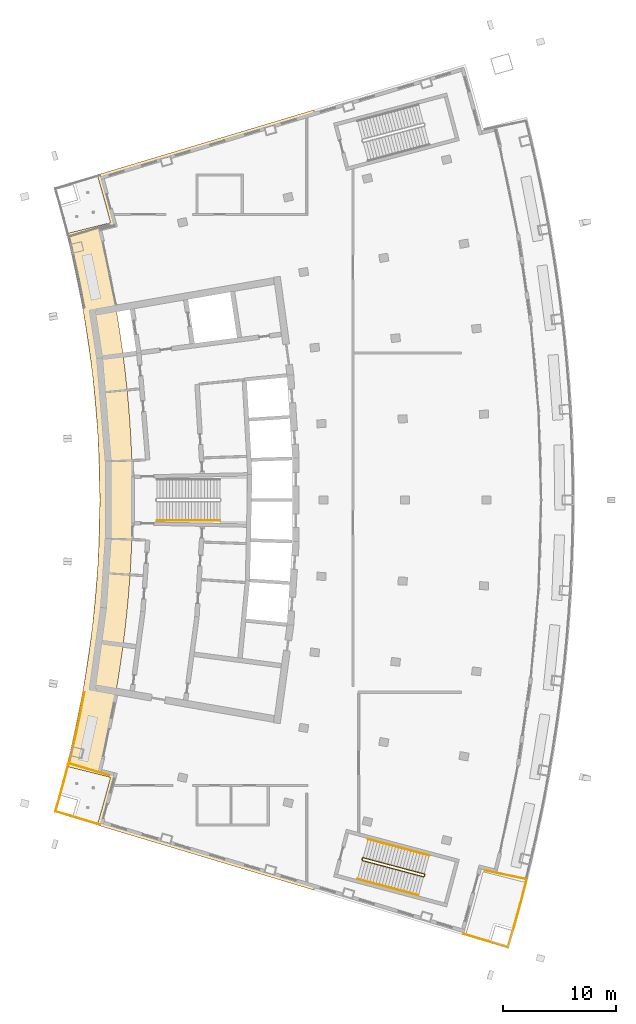
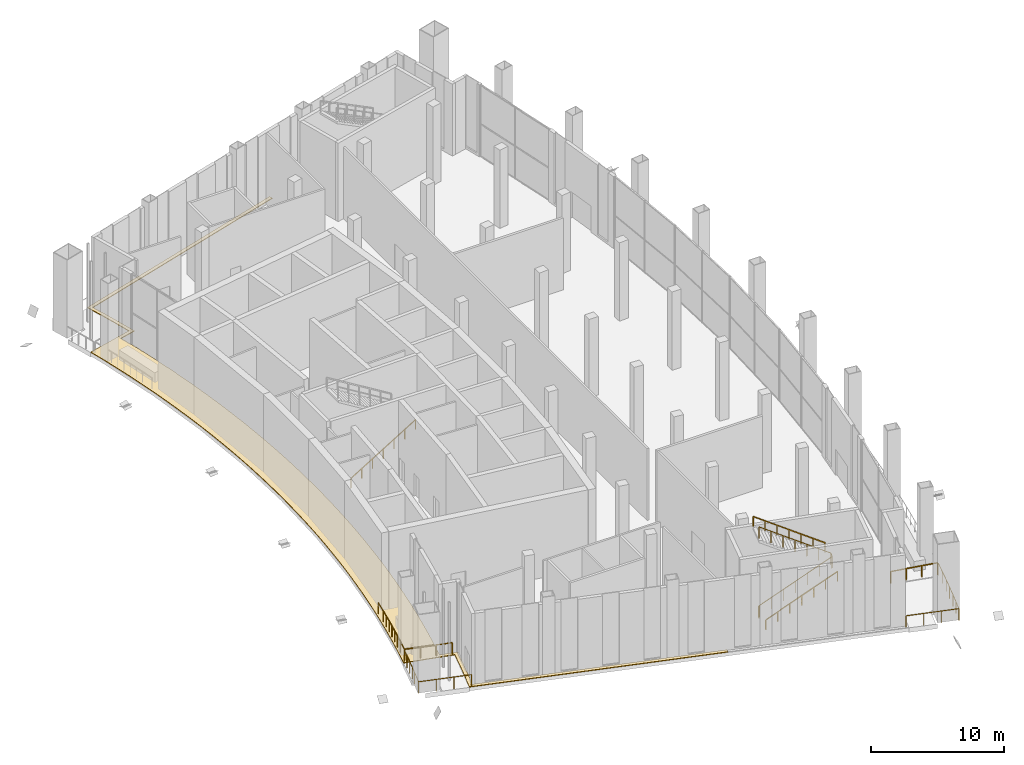
# One storey, part 20 of 24: 9 railings, 1 covering.
"""IFC4 building model written with IfcOpenShell, lengths in metres."""

from ifc_helpers import new_model, si_unit, direction, frame, origin, origin_with_axes, origin_2d, place, context, subcontext, project, spatial, polyline, rectangle, outline, extrude, material, layer, layer_set, type_object, element, save


model = new_model("IFC4")

# Units and contexts
model_context = context("Model", 3, precision=1e-05, world=origin(), true_north=direction((0.0, 1.0)))
body_context = subcontext(model_context, "Body", "Model", "MODEL_VIEW")
ifc_project = project(units=[si_unit("LENGTHUNIT", "METRE"), si_unit("AREAUNIT", "SQUARE_METRE"), si_unit("VOLUMEUNIT", "CUBIC_METRE"), si_unit("PLANEANGLEUNIT", "RADIAN"), si_unit("MASSUNIT", "GRAM", prefix="KILO")], contexts=[model_context])

# Site, building, storey
site_placement = place(None, origin())
site = spatial("IfcSite", under=ifc_project, at=site_placement, CompositionType="ELEMENT")
building_placement = place(site_placement, origin())
building = spatial("IfcBuilding", under=site, at=building_placement, Name="Alderwake Tower", CompositionType="ELEMENT")
storey_placement = place(building_placement, frame((0.0, 0.0, 232.39990234375)))
storey = spatial("IfcBuildingStorey", under=building, at=storey_placement, Name="L58", CompositionType="ELEMENT", Elevation=232.39990234375)

# Railings
ifc_material_1 = material(Name="Stainless steel 316 rail and posts", Category="steel")
railing_type_1 = type_object("IfcRailingType", Name="Balcony guard 1100", PredefinedType="GUARDRAIL", material=ifc_material_1)
railing_1_placement = place(storey_placement, frame((53.732666015625, 27.355224609375, 0.0)))
element("IfcRailing", 1, at=railing_1_placement, inside=storey, type_object=railing_type_1, Name="Guard terrace FS", PredefinedType="GUARDRAIL", context=body_context, shape_type="SweptSolid", body=[
    extrude(rectangle(XDim=0.048095703125, YDim=0.048095703125, at=origin_2d()), frame((0.0, 0.0, 1.076171875), z_axis=(-0.251774520981, -0.967785921878, 0.0), x_axis=(0.967785921878, -0.251774520981, 0.0)), (0.0, 0.0, 1.0), 2.2109375),
    extrude(rectangle(XDim=0.048095703125, YDim=0.048095703125, at=origin_2d()), frame((-0.556640625, -2.1396484375, 1.076171875), z_axis=(-0.266485273166, -0.963838990281, 0.0), x_axis=(0.963838990281, -0.266485273166, 0.0)), (0.0, 0.0, 1.0), 2.010986328125),
    extrude(rectangle(XDim=0.048095703125, YDim=0.048095703125, at=origin_2d()), frame((-1.092529296875, -4.077880859375, 1.076171875), z_axis=(-0.280284513531, -0.959916971136, 0.0), x_axis=(0.959916971136, -0.280284513531, 0.0)), (0.0, 0.0, 1.0), 1.9111328125),
    extrude(rectangle(XDim=0.048095703125, YDim=0.048095703125, at=origin_2d()), frame((-1.628173828125, -5.912353515625, 1.076171875), z_axis=(-0.957975303498, 0.286850689187, 0.0), x_axis=(-0.286850689187, -0.957975303498, 0.0)), (0.0, 0.0, 1.0), 4.099853515625),
    extrude(rectangle(XDim=0.0419921875, YDim=0.0419921875, at=origin_2d()), frame((0.0, 0.0, 0.0), z_axis=(0.0, 0.0, 1.0), x_axis=(-0.251774520981, -0.967785921878, 0.0)), (0.0, 0.0, 1.0), 1.052001953125),
    extrude(rectangle(XDim=0.0419921875, YDim=0.0419921875, at=origin_2d()), frame((-0.2783203125, -1.06982421875, 0.0), z_axis=(0.0, 0.0, 1.0), x_axis=(-0.251774520981, -0.967785921878, 0.0)), (0.0, 0.0, 1.0), 1.052001953125),
    extrude(rectangle(XDim=0.0419921875, YDim=0.0419921875, at=origin_2d()), frame((-0.556640625, -2.1396484375, 0.0), z_axis=(0.0, 0.0, 1.0), x_axis=(-0.266485273166, -0.963838990281, 0.0)), (0.0, 0.0, 1.0), 1.052001953125),
    extrude(rectangle(XDim=0.0419921875, YDim=0.0419921875, at=origin_2d()), frame((-0.82470703125, -3.10888671875, 0.0), z_axis=(0.0, 0.0, 1.0), x_axis=(-0.266485273166, -0.963838990281, 0.0)), (0.0, 0.0, 1.0), 1.052001953125),
    extrude(rectangle(XDim=0.0419921875, YDim=0.0419921875, at=origin_2d()), frame((-1.092529296875, -4.077880859375, 0.0), z_axis=(0.0, 0.0, 1.0), x_axis=(-0.280284513531, -0.959916971136, 0.0)), (0.0, 0.0, 1.0), 1.052001953125),
    extrude(rectangle(XDim=0.0419921875, YDim=0.0419921875, at=origin_2d()), frame((-1.3603515625, -4.9951171875, 0.0), z_axis=(0.0, 0.0, 1.0), x_axis=(-0.280284513531, -0.959916971136, 0.0)), (0.0, 0.0, 1.0), 1.052001953125),
    extrude(rectangle(XDim=0.0419921875, YDim=0.0419921875, at=origin_2d()), frame((-1.628173828125, -5.912353515625, 0.0), z_axis=(0.0, 0.0, 1.0), x_axis=(-0.957975303498, 0.286850689187, 0.0)), (0.0, 0.0, 1.0), 1.052001953125),
    extrude(rectangle(XDim=0.0419921875, YDim=0.0419921875, at=origin_2d()), frame((-2.937255859375, -5.520263671875, 0.0), z_axis=(0.0, 0.0, 1.0), x_axis=(-0.957975303498, 0.286850689187, 0.0)), (0.0, 0.0, 1.0), 1.052001953125),
    extrude(rectangle(XDim=0.0419921875, YDim=0.0419921875, at=origin_2d()), frame((-4.24658203125, -5.12841796875, 0.0), z_axis=(0.0, 0.0, 1.0), x_axis=(-0.957975303498, 0.286850689187, 0.0)), (0.0, 0.0, 1.0), 1.052001953125),
    extrude(rectangle(XDim=0.0419921875, YDim=0.0419921875, at=origin_2d()), frame((-5.5556640625, -4.736328125, 0.0), z_axis=(0.0, 0.0, 1.0), x_axis=(-0.957975303498, 0.286850689187, 0.0)), (0.0, 0.0, 1.0), 1.052001953125),
])
railing_2_placement = place(storey_placement, frame((13.210693359375, 37.612548828125, 0.0)))
element("IfcRailing", 2, at=railing_2_placement, inside=storey, type_object=railing_type_1, Name="Guard terrace RS", PredefinedType="GUARDRAIL", context=body_context, shape_type="SweptSolid", body=[
    extrude(rectangle(XDim=0.048095703125, YDim=0.048095703125, at=origin_2d()), frame((0.0, 0.0, 1.076171875), z_axis=(-0.251385381433, -0.967887075026, 0.0), x_axis=(0.967887075026, -0.251385381433, 0.0)), (0.0, 0.0, 1.0), 1.6015625),
    extrude(rectangle(XDim=0.048095703125, YDim=0.048095703125, at=origin_2d()), frame((-0.402587890625, -1.550048828125, 1.076171875), z_axis=(-0.266520638672, -0.963829211615, 0.0), x_axis=(0.963829211615, -0.266520638672, 0.0)), (0.0, 0.0, 1.0), 1.401611328125),
    extrude(rectangle(XDim=0.048095703125, YDim=0.048095703125, at=origin_2d()), frame((-0.776123046875, -2.90087890625, 1.076171875), z_axis=(-0.280093650878, -0.959972680204, 0.0), x_axis=(0.959972680204, -0.280093650878, 0.0)), (0.0, 0.0, 1.0), 1.30126953125),
    extrude(rectangle(XDim=0.048095703125, YDim=0.048095703125, at=origin_2d()), frame((-1.140625, -4.150146484375, 1.076171875), z_axis=(0.958066871889, -0.286544706789, 0.0), x_axis=(0.286544706789, 0.958066871889, 0.0)), (0.0, 0.0, 1.0), 4.099853515625),
    extrude(rectangle(XDim=0.0419921875, YDim=0.0419921875, at=origin_2d()), frame((0.0, 0.0, 0.0), z_axis=(0.0, 0.0, 1.0), x_axis=(-0.251385381433, -0.967887075026, 0.0)), (0.0, 0.0, 1.0), 1.052001953125),
    extrude(rectangle(XDim=0.0419921875, YDim=0.0419921875, at=origin_2d()), frame((-0.201171875, -0.77490234375, 0.0), z_axis=(0.0, 0.0, 1.0), x_axis=(-0.251385381433, -0.967887075026, 0.0)), (0.0, 0.0, 1.0), 1.052001953125),
    extrude(rectangle(XDim=0.0419921875, YDim=0.0419921875, at=origin_2d()), frame((-0.402587890625, -1.550048828125, 0.0), z_axis=(0.0, 0.0, 1.0), x_axis=(-0.266520638672, -0.963829211615, 0.0)), (0.0, 0.0, 1.0), 1.052001953125),
    extrude(rectangle(XDim=0.0419921875, YDim=0.0419921875, at=origin_2d()), frame((-0.58935546875, -2.2255859375, 0.0), z_axis=(0.0, 0.0, 1.0), x_axis=(-0.266520638672, -0.963829211615, 0.0)), (0.0, 0.0, 1.0), 1.052001953125),
    extrude(rectangle(XDim=0.0419921875, YDim=0.0419921875, at=origin_2d()), frame((-0.776123046875, -2.90087890625, 0.0), z_axis=(0.0, 0.0, 1.0), x_axis=(-0.280093650878, -0.959972680204, 0.0)), (0.0, 0.0, 1.0), 1.052001953125),
    extrude(rectangle(XDim=0.0419921875, YDim=0.0419921875, at=origin_2d()), frame((-1.140625, -4.150146484375, 0.0), z_axis=(0.0, 0.0, 1.0), x_axis=(0.958066871889, -0.286544706789, 0.0)), (0.0, 0.0, 1.0), 1.052001953125),
    extrude(rectangle(XDim=0.0419921875, YDim=0.0419921875, at=origin_2d()), frame((0.168701171875, -4.541748046875, 0.0), z_axis=(0.0, 0.0, 1.0), x_axis=(0.958066871889, -0.286544706789, 0.0)), (0.0, 0.0, 1.0), 1.052001953125),
    extrude(rectangle(XDim=0.0419921875, YDim=0.0419921875, at=origin_2d()), frame((1.47802734375, -4.933349609375, 0.0), z_axis=(0.0, 0.0, 1.0), x_axis=(0.958066871889, -0.286544706789, 0.0)), (0.0, 0.0, 1.0), 1.052001953125),
    extrude(rectangle(XDim=0.0419921875, YDim=0.0419921875, at=origin_2d()), frame((2.787353515625, -5.324951171875, 0.0), z_axis=(0.0, 0.0, 1.0), x_axis=(0.958066871889, -0.286544706789, 0.0)), (0.0, 0.0, 1.0), 1.052001953125),
])
railing_3_placement = place(storey_placement, frame((53.70849609375, 27.464599609375, 0.0)))
element("IfcRailing", 3, at=railing_3_placement, inside=storey, type_object=railing_type_1, Name="Guard garden terrace front end", PredefinedType="GUARDRAIL", context=body_context, shape_type="SweptSolid", body=[
    extrude(rectangle(XDim=0.048095703125, YDim=0.048095703125, at=origin_2d()), frame((0.0, 0.0, 1.076171875), z_axis=(-0.978568669942, 0.205920757107, 0.0), x_axis=(-0.205920757107, -0.978568669942, 0.0)), (0.0, 0.0, 1.0), 3.70263671875),
    extrude(rectangle(XDim=0.0419921875, YDim=0.0419921875, at=origin_2d()), frame((0.0, 0.0, 0.0), z_axis=(0.0, 0.0, 1.0), x_axis=(-0.978568669942, 0.205920757107, 0.0)), (0.0, 0.0, 1.0), 1.052001953125),
    extrude(rectangle(XDim=0.0419921875, YDim=0.0419921875, at=origin_2d()), frame((-1.207763671875, 0.254150390625, 0.0), z_axis=(0.0, 0.0, 1.0), x_axis=(-0.978568669942, 0.205920757107, 0.0)), (0.0, 0.0, 1.0), 1.052001953125),
    extrude(rectangle(XDim=0.0419921875, YDim=0.0419921875, at=origin_2d()), frame((-2.41552734375, 0.50830078125, 0.0), z_axis=(0.0, 0.0, 1.0), x_axis=(-0.978568669942, 0.205920757107, 0.0)), (0.0, 0.0, 1.0), 1.052001953125),
    extrude(rectangle(XDim=0.0419921875, YDim=0.0419921875, at=origin_2d()), frame((-3.623291015625, 0.762451171875, 0.0), z_axis=(0.0, 0.0, 1.0), x_axis=(-0.978568669942, 0.205920757107, 0.0)), (0.0, 0.0, 1.0), 1.052001953125),
])
railing_4_placement = place(storey_placement, frame((13.283447265625, 37.697265625, 0.0)))
element("IfcRailing", 4, at=railing_4_placement, inside=storey, type_object=railing_type_1, Name="Guard garden terrace rear", PredefinedType="GUARDRAIL", context=body_context, shape_type="SweptSolid", body=[
    extrude(rectangle(XDim=0.048095703125, YDim=0.048095703125, at=origin_2d()), frame((0.0, 0.0, 1.076171875), z_axis=(0.23679809516, 0.971558882481, 0.0), x_axis=(-0.971558882481, 0.23679809516, 0.0)), (0.0, 0.0, 1.0), 1.10205078125),
    extrude(rectangle(XDim=0.048095703125, YDim=0.048095703125, at=origin_2d()), frame((0.260986328125, 1.07080078125, 1.076171875), z_axis=(0.224096426432, 0.974566976488, 0.0), x_axis=(-0.974566976488, 0.224096426432, 0.0)), (0.0, 0.0, 1.0), 1.402099609375),
    extrude(rectangle(XDim=0.048095703125, YDim=0.048095703125, at=origin_2d()), frame((0.5751953125, 2.437255859375, 1.076171875), z_axis=(0.209957084556, 0.977710602707, 0.0), x_axis=(-0.977710602707, 0.209957084556, 0.0)), (0.0, 0.0, 1.0), 1.40234375),
    extrude(rectangle(XDim=0.048095703125, YDim=0.048095703125, at=origin_2d()), frame((0.86962890625, 3.808349609375, 1.076171875), z_axis=(0.1955468343, 0.980694364007, 0.0), x_axis=(-0.980694364007, 0.1955468343, 0.0)), (0.0, 0.0, 1.0), 1.402099609375),
    extrude(rectangle(XDim=0.048095703125, YDim=0.048095703125, at=origin_2d()), frame((1.143798828125, 5.183349609375, 1.076171875), z_axis=(0.182977626426, 0.983117077579, 0.0), x_axis=(-0.983117077579, 0.182977626426, 0.0)), (0.0, 0.0, 1.0), 1.10205078125),
    extrude(rectangle(XDim=0.0419921875, YDim=0.0419921875, at=origin_2d()), frame((0.0, 0.0, 0.0), z_axis=(0.0, 0.0, 1.0), x_axis=(0.23679809516, 0.971558882481, 0.0)), (0.0, 0.0, 1.0), 1.052001953125),
    extrude(rectangle(XDim=0.0419921875, YDim=0.0419921875, at=origin_2d()), frame((0.260986328125, 1.07080078125, 0.0), z_axis=(0.0, 0.0, 1.0), x_axis=(0.224096426432, 0.974566976488, 0.0)), (0.0, 0.0, 1.0), 1.052001953125),
    extrude(rectangle(XDim=0.0419921875, YDim=0.0419921875, at=origin_2d()), frame((0.41796875, 1.75390625, 0.0), z_axis=(0.0, 0.0, 1.0), x_axis=(0.224096426432, 0.974566976488, 0.0)), (0.0, 0.0, 1.0), 1.052001953125),
    extrude(rectangle(XDim=0.0419921875, YDim=0.0419921875, at=origin_2d()), frame((0.5751953125, 2.437255859375, 0.0), z_axis=(0.0, 0.0, 1.0), x_axis=(0.209957084556, 0.977710602707, 0.0)), (0.0, 0.0, 1.0), 1.052001953125),
    extrude(rectangle(XDim=0.0419921875, YDim=0.0419921875, at=origin_2d()), frame((0.722412109375, 3.122802734375, 0.0), z_axis=(0.0, 0.0, 1.0), x_axis=(0.209957084556, 0.977710602707, 0.0)), (0.0, 0.0, 1.0), 1.052001953125),
    extrude(rectangle(XDim=0.0419921875, YDim=0.0419921875, at=origin_2d()), frame((0.86962890625, 3.808349609375, 0.0), z_axis=(0.0, 0.0, 1.0), x_axis=(0.1955468343, 0.980694364007, 0.0)), (0.0, 0.0, 1.0), 1.052001953125),
    extrude(rectangle(XDim=0.0419921875, YDim=0.0419921875, at=origin_2d()), frame((1.0068359375, 4.495849609375, 0.0), z_axis=(0.0, 0.0, 1.0), x_axis=(0.1955468343, 0.980694364007, 0.0)), (0.0, 0.0, 1.0), 1.052001953125),
    extrude(rectangle(XDim=0.0419921875, YDim=0.0419921875, at=origin_2d()), frame((1.143798828125, 5.183349609375, 0.0), z_axis=(0.0, 0.0, 1.0), x_axis=(0.182977626426, 0.983117077579, 0.0)), (0.0, 0.0, 1.0), 1.052001953125),
    extrude(rectangle(XDim=0.0419921875, YDim=0.0419921875, at=origin_2d()), frame((1.345458984375, 6.266845703125, 0.0), z_axis=(0.0, 0.0, 1.0), x_axis=(0.182977626426, 0.983117077579, 0.0)), (0.0, 0.0, 1.0), 1.052001953125),
])
railing_5_placement = place(storey_placement, frame((13.283447265625, 37.697265625, 0.0)))
element("IfcRailing", 5, at=railing_5_placement, inside=storey, type_object=railing_type_1, Name="Guard garden terrace rear end", PredefinedType="GUARDRAIL", context=body_context, shape_type="SweptSolid", body=[
    extrude(rectangle(XDim=0.048095703125, YDim=0.048095703125, at=origin_2d()), frame((0.0, 0.0, 1.076171875), z_axis=(0.958690974733, -0.284449670355, 0.0), x_axis=(0.284449670355, 0.958690974733, 0.0)), (0.0, 0.0, 1.0), 3.70361328125),
    extrude(rectangle(XDim=0.0419921875, YDim=0.0419921875, at=origin_2d()), frame((0.0, 0.0, 0.0), z_axis=(0.0, 0.0, 1.0), x_axis=(0.958690974733, -0.284449670355, 0.0)), (0.0, 0.0, 1.0), 1.052001953125),
    extrude(rectangle(XDim=0.0419921875, YDim=0.0419921875, at=origin_2d()), frame((1.18359375, -0.35107421875, 0.0), z_axis=(0.0, 0.0, 1.0), x_axis=(0.958690974733, -0.284449670355, 0.0)), (0.0, 0.0, 1.0), 1.052001953125),
    extrude(rectangle(XDim=0.0419921875, YDim=0.0419921875, at=origin_2d()), frame((2.366943359375, -0.702392578125, 0.0), z_axis=(0.0, 0.0, 1.0), x_axis=(0.958690974733, -0.284449670355, 0.0)), (0.0, 0.0, 1.0), 1.052001953125),
    extrude(rectangle(XDim=0.0419921875, YDim=0.0419921875, at=origin_2d()), frame((3.550537109375, -1.053466796875, 0.0), z_axis=(0.0, 0.0, 1.0), x_axis=(0.958690974733, -0.284449670355, 0.0)), (0.0, 0.0, 1.0), 1.052001953125),
])

# Covering
ifc_material_2 = material(Name="Bronze-grey porcelain paving on pedestals")
ifc_layer = layer(ifc_material_2, 0.06005859375)
ifc_layer_set = layer_set([ifc_layer], Name="Garden terrace paving 60")
covering_type = type_object("IfcCoveringType", Name="Garden terrace paving 60", PredefinedType="FLOORING", material=ifc_layer_set)
covering_placement = place(storey_placement, origin())
element("IfcCovering", 6, at=covering_placement, inside=storey, type_object=covering_type, Name="Garden terrace paving rear", PredefinedType="FLOORING", context=body_context, shape_type="SweptSolid", body=[
    extrude(outline(polyline([(14.53369140625, 44.28564453125), (14.280029296875, 42.90869140625), (14.006103515625, 41.535888671875), (13.71240234375, 40.1669921875), (13.3984375, 38.802734375), (13.06494140625, 37.443115234375), (16.942626953125, 36.46142578125), (16.574462890625, 35.05029296875), (16.185791015625, 33.64501953125), (15.776611328125, 32.2451171875), (34.931884765625, 26.494140625), (34.931884765625, 26.494140625), (35.01611328125, 26.781982421875), (16.148193359375, 32.44677734375), (16.474365234375, 33.562744140625), (16.8642578125, 34.97265625), (17.30908203125, 36.67822265625), (15.94775390625, 37.022705078125), (16.219970703125, 38.132080078125), (16.543212890625, 39.537841796875), (16.845947265625, 40.947998046875), (17.1279296875, 42.3623046875), (17.389404296875, 43.78076171875), (17.630126953125, 45.20263671875), (17.85009765625, 46.628173828125), (18.04931640625, 48.056640625), (18.227783203125, 49.48779296875), (18.385009765625, 50.92138671875), (18.521484375, 52.357421875), (18.63720703125, 53.794921875), (18.731689453125, 55.234130859375), (18.805419921875, 56.674560546875), (18.85791015625, 58.11572265625), (18.889404296875, 59.557861328125), (18.89990234375, 61.0), (18.889404296875, 62.442138671875), (18.85791015625, 63.88427734375), (18.805419921875, 65.325439453125), (18.731689453125, 66.765869140625), (18.63720703125, 68.205078125), (18.521484375, 69.642578125), (18.385009765625, 71.07861328125), (18.227783203125, 72.51220703125), (18.04931640625, 73.943359375), (17.85009765625, 75.371826171875), (17.630126953125, 76.79736328125), (17.389404296875, 78.21923828125), (17.1279296875, 79.6376953125), (16.845947265625, 81.052001953125), (16.543212890625, 82.462158203125), (16.219970703125, 83.867919921875), (15.94775390625, 84.977294921875), (17.30908203125, 85.32177734375), (16.8642578125, 87.02734375), (16.474365234375, 88.437255859375), (16.148193359375, 89.55322265625), (35.01611328125, 95.218017578125), (34.931884765625, 95.505859375), (34.931884765625, 95.505859375), (15.776611328125, 89.7548828125), (16.185791015625, 88.35498046875), (16.574462890625, 86.94970703125), (16.942626953125, 85.53857421875), (13.06494140625, 84.556884765625), (13.3984375, 83.197265625), (13.71240234375, 81.8330078125), (14.006103515625, 80.464111328125), (14.280029296875, 79.09130859375), (14.53369140625, 77.71435546875), (14.767333984375, 76.333984375), (14.98095703125, 74.950439453125), (15.17431640625, 73.56396484375), (15.347412109375, 72.174560546875), (15.500244140625, 70.782958984375), (15.6328125, 69.389404296875), (15.744873046875, 67.993896484375), (15.836669921875, 66.5966796875), (15.908203125, 65.19873046875), (15.959228515625, 63.799560546875), (15.98974609375, 62.39990234375), (16.0, 61.0), (15.98974609375, 59.60009765625), (15.959228515625, 58.200439453125), (15.908203125, 56.80126953125), (15.836669921875, 55.4033203125), (15.744873046875, 54.006103515625), (15.6328125, 52.610595703125), (15.500244140625, 51.217041015625), (15.347412109375, 49.825439453125), (15.17431640625, 48.43603515625), (14.98095703125, 47.049560546875), (14.767333984375, 45.666015625), (14.53369140625, 44.28564453125)])), origin(), (0.0, 0.0, 1.0), 0.06005859375),
])

# Railings
ifc_material_3 = material(Name="Stainless steel guard", Category="steel")
railing_type_2 = type_object("IfcRailingType", Name="Stair guard 1100", PredefinedType="GUARDRAIL", material=ifc_material_3)
railing_6_placement = place(storey_placement, frame((39.1943359375, 29.17431640625, 0.0)))
element("IfcRailing", 7, at=railing_6_placement, inside=storey, type_object=railing_type_2, Name="L58 ST-C stair guard 1", PredefinedType="GUARDRAIL", context=body_context, shape_type="SweptSolid", body=[
    extrude(rectangle(XDim=0.048095703125, YDim=0.048095703125, at=origin_2d()), frame((0.0, 0.0, 1.076171875), z_axis=(0.257459803502, 0.966289009345, 0.0), x_axis=(-0.966289009345, 0.257459803502, 0.0)), (0.0, 0.0, 1.0), 0.14990234375),
    extrude(rectangle(XDim=0.048095703125, YDim=0.048095703125, at=origin_2d()), frame((0.03857421875, 0.144775390625, 1.076171875), z_axis=(-0.01183426191, -0.76831669631, 0.639960470979), x_axis=(0.999881397308, -0.015401016783, 0.0)), (0.0, 0.0, 1.0), 0.268310546875),
    extrude(rectangle(XDim=0.048095703125, YDim=0.048095703125, at=origin_2d()), frame((0.035400390625, -0.061279296875, 1.24755859375), z_axis=(0.824125601407, -0.219518951081, 0.522138318094), x_axis=(0.257391295463, 0.966307260151, 0.0)), (0.0, 0.0, 1.0), 6.566162109375),
    extrude(rectangle(XDim=0.048095703125, YDim=0.048095703125, at=origin_2d()), frame((5.44677734375, -1.502685546875, 4.67626953125), z_axis=(0.864402767194, 0.502800015978, 0.0), x_axis=(-0.502800015978, 0.864402767194, 0.0)), (0.0, 0.0, 1.0), 0.07080078125),
    extrude(rectangle(XDim=0.048095703125, YDim=0.048095703125, at=origin_2d()), frame((5.508056640625, -1.467041015625, 4.67626953125), z_axis=(0.257459803502, 0.966289009345, 0.0), x_axis=(-0.966289009345, 0.257459803502, 0.0)), (0.0, 0.0, 1.0), 0.14990234375),
    extrude(rectangle(XDim=0.048095703125, YDim=0.048095703125, at=origin_2d()), frame((5.546630859375, -1.322265625, 4.67626953125), z_axis=(-0.190916771936, 0.330483515558, 0.924300509649), x_axis=(-0.865898279276, -0.500220121494, 0.0)), (0.0, 0.0, 1.0), 0.185302734375),
    extrude(rectangle(XDim=0.048095703125, YDim=0.048095703125, at=origin_2d()), frame((5.51123046875, -1.260986328125, 4.84765625), z_axis=(-0.824109601868, 0.219514689349, 0.522165361996), x_axis=(-0.257391295463, -0.966307260151, 0.0)), (0.0, 0.0, 1.0), 6.56640625),
    extrude(rectangle(XDim=0.0419921875, YDim=0.0419921875, at=origin_2d()), frame((0.0, 0.0, 0.0), z_axis=(0.0, 0.0, 1.0), x_axis=(0.257459803502, 0.966289009345, 0.0)), (0.0, 0.0, 1.0), 1.052001953125),
    extrude(rectangle(XDim=0.0419921875, YDim=0.0419921875, at=origin_2d()), frame((0.03857421875, 0.144775390625, 0.0), z_axis=(0.0, 0.0, 1.0), x_axis=(-0.015401016783, -0.999881397308, 0.0)), (0.0, 0.0, 1.0), 1.052001953125),
    extrude(rectangle(XDim=0.0419921875, YDim=0.0419921875, at=origin_2d()), frame((0.035400390625, -0.061279296875, 0.171630859375), z_axis=(0.0, 0.0, 1.0), x_axis=(0.966307260151, -0.257391295463, 0.0)), (0.0, 0.0, 1.0), 1.052001953125),
    extrude(rectangle(XDim=0.0419921875, YDim=0.0419921875, at=origin_2d()), frame((0.937255859375, -0.301513671875, 0.7431640625), z_axis=(0.0, 0.0, 1.0), x_axis=(0.966307260151, -0.257391295463, 0.0)), (0.0, 0.0, 1.0), 1.052001953125),
    extrude(rectangle(XDim=0.0419921875, YDim=0.0419921875, at=origin_2d()), frame((1.839111328125, -0.541748046875, 1.314453125), z_axis=(0.0, 0.0, 1.0), x_axis=(0.966307260151, -0.257391295463, 0.0)), (0.0, 0.0, 1.0), 1.052001953125),
    extrude(rectangle(XDim=0.0419921875, YDim=0.0419921875, at=origin_2d()), frame((2.7412109375, -0.781982421875, 1.8857421875), z_axis=(0.0, 0.0, 1.0), x_axis=(0.966307260151, -0.257391295463, 0.0)), (0.0, 0.0, 1.0), 1.052001953125),
    extrude(rectangle(XDim=0.0419921875, YDim=0.0419921875, at=origin_2d()), frame((3.64306640625, -1.022216796875, 2.457275390625), z_axis=(0.0, 0.0, 1.0), x_axis=(0.966307260151, -0.257391295463, 0.0)), (0.0, 0.0, 1.0), 1.052001953125),
    extrude(rectangle(XDim=0.0419921875, YDim=0.0419921875, at=origin_2d()), frame((4.544921875, -1.262451171875, 3.02880859375), z_axis=(0.0, 0.0, 1.0), x_axis=(0.966307260151, -0.257391295463, 0.0)), (0.0, 0.0, 1.0), 1.052001953125),
    extrude(rectangle(XDim=0.0419921875, YDim=0.0419921875, at=origin_2d()), frame((5.44677734375, -1.502685546875, 3.60009765625), z_axis=(0.0, 0.0, 1.0), x_axis=(0.864402767194, 0.502800015978, 0.0)), (0.0, 0.0, 1.0), 1.052001953125),
    extrude(rectangle(XDim=0.0419921875, YDim=0.0419921875, at=origin_2d()), frame((5.508056640625, -1.467041015625, 3.60009765625), z_axis=(0.0, 0.0, 1.0), x_axis=(0.257459803502, 0.966289009345, 0.0)), (0.0, 0.0, 1.0), 1.052001953125),
    extrude(rectangle(XDim=0.0419921875, YDim=0.0419921875, at=origin_2d()), frame((5.546630859375, -1.322265625, 3.60009765625), z_axis=(0.0, 0.0, 1.0), x_axis=(-0.500220121494, 0.865898279276, 0.0)), (0.0, 0.0, 1.0), 1.052001953125),
    extrude(rectangle(XDim=0.0419921875, YDim=0.0419921875, at=origin_2d()), frame((5.51123046875, -1.260986328125, 3.771484375), z_axis=(0.0, 0.0, 1.0), x_axis=(-0.966307260151, 0.257391295463, 0.0)), (0.0, 0.0, 1.0), 1.052001953125),
    extrude(rectangle(XDim=0.0419921875, YDim=0.0419921875, at=origin_2d()), frame((4.609375, -1.020751953125, 4.343017578125), z_axis=(0.0, 0.0, 1.0), x_axis=(-0.966307260151, 0.257391295463, 0.0)), (0.0, 0.0, 1.0), 1.052001953125),
    extrude(rectangle(XDim=0.0419921875, YDim=0.0419921875, at=origin_2d()), frame((3.70751953125, -0.780517578125, 4.914306640625), z_axis=(0.0, 0.0, 1.0), x_axis=(-0.966307260151, 0.257391295463, 0.0)), (0.0, 0.0, 1.0), 1.052001953125),
    extrude(rectangle(XDim=0.0419921875, YDim=0.0419921875, at=origin_2d()), frame((2.8056640625, -0.540283203125, 5.48583984375), z_axis=(0.0, 0.0, 1.0), x_axis=(-0.966307260151, 0.257391295463, 0.0)), (0.0, 0.0, 1.0), 1.052001953125),
    extrude(rectangle(XDim=0.0419921875, YDim=0.0419921875, at=origin_2d()), frame((1.903564453125, -0.300048828125, 6.057373046875), z_axis=(0.0, 0.0, 1.0), x_axis=(-0.966307260151, 0.257391295463, 0.0)), (0.0, 0.0, 1.0), 1.052001953125),
    extrude(rectangle(XDim=0.0419921875, YDim=0.0419921875, at=origin_2d()), frame((1.001708984375, -0.059814453125, 6.628662109375), z_axis=(0.0, 0.0, 1.0), x_axis=(-0.966307260151, 0.257391295463, 0.0)), (0.0, 0.0, 1.0), 1.052001953125),
    extrude(rectangle(XDim=0.0419921875, YDim=0.0419921875, at=origin_2d()), frame((0.099853515625, 0.180419921875, 7.2001953125), z_axis=(0.0, 0.0, 1.0), x_axis=(-0.966307260151, 0.257391295463, 0.0)), (0.0, 0.0, 1.0), 1.052001953125),
])
ifc_material_4 = material(Name="Stainless steel handrail", Category="steel")
railing_type_3 = type_object("IfcRailingType", Name="Stair handrail 900", PredefinedType="HANDRAIL", material=ifc_material_4)
railing_7_placement = place(storey_placement, frame((21.0400390625, 59.175048828125, 0.171630859375)))
element("IfcRailing", 8, at=railing_7_placement, inside=storey, type_object=railing_type_3, Name="L58 ST-B stair handrail 1", PredefinedType="HANDRAIL", context=body_context, shape_type="SweptSolid", body=[
    extrude(rectangle(XDim=0.048095703125, YDim=0.048095703125, at=origin_2d()), frame((0.0, 0.0, 0.8759765625), z_axis=(0.852852317832, 0.0, 0.522152203833), x_axis=(0.0, 1.0, 0.0)), (0.0, 0.0, 1.0), 6.56591796875),
    extrude(rectangle(XDim=0.0419921875, YDim=0.0419921875, at=origin_2d()), origin_with_axes(), (0.0, 0.0, 1.0), 0.851806640625),
    extrude(rectangle(XDim=0.0419921875, YDim=0.0419921875, at=origin_2d()), frame((0.933349609375, 0.0, 0.5712890625), z_axis=(0.0, 0.0, 1.0), x_axis=(1.0, 0.0, 0.0)), (0.0, 0.0, 1.0), 0.851806640625),
    extrude(rectangle(XDim=0.0419921875, YDim=0.0419921875, at=origin_2d()), frame((1.86669921875, 0.0, 1.142822265625), z_axis=(0.0, 0.0, 1.0), x_axis=(1.0, 0.0, 0.0)), (0.0, 0.0, 1.0), 0.851806640625),
    extrude(rectangle(XDim=0.0419921875, YDim=0.0419921875, at=origin_2d()), frame((2.7998046875, 0.0, 1.71435546875), z_axis=(0.0, 0.0, 1.0), x_axis=(1.0, 0.0, 0.0)), (0.0, 0.0, 1.0), 0.851806640625),
    extrude(rectangle(XDim=0.0419921875, YDim=0.0419921875, at=origin_2d()), frame((3.733154296875, 0.0, 2.28564453125), z_axis=(0.0, 0.0, 1.0), x_axis=(1.0, 0.0, 0.0)), (0.0, 0.0, 1.0), 0.851806640625),
    extrude(rectangle(XDim=0.0419921875, YDim=0.0419921875, at=origin_2d()), frame((4.66650390625, 0.0, 2.85693359375), z_axis=(0.0, 0.0, 1.0), x_axis=(1.0, 0.0, 0.0)), (0.0, 0.0, 1.0), 0.851806640625),
    extrude(rectangle(XDim=0.0419921875, YDim=0.0419921875, at=origin_2d()), frame((5.599853515625, 0.0, 3.428466796875), z_axis=(0.0, 0.0, 1.0), x_axis=(1.0, 0.0, 0.0)), (0.0, 0.0, 1.0), 0.851806640625),
])
railing_8_placement = place(storey_placement, frame((38.792236328125, 27.47021484375, 0.171630859375)))
element("IfcRailing", 9, at=railing_8_placement, inside=storey, type_object=railing_type_3, Name="L58 ST-C stair handrail 1", PredefinedType="HANDRAIL", context=body_context, shape_type="SweptSolid", body=[
    extrude(rectangle(XDim=0.048095703125, YDim=0.048095703125, at=origin_2d()), frame((0.0, 0.0, 0.8759765625), z_axis=(0.82413232745, -0.219483560972, 0.522142579489), x_axis=(0.257350586944, 0.966318102593, 0.0)), (0.0, 0.0, 1.0), 6.566162109375),
    extrude(rectangle(XDim=0.0419921875, YDim=0.0419921875, at=origin_2d()), frame((0.0, 0.0, 0.0), z_axis=(0.0, 0.0, 1.0), x_axis=(0.966318102593, -0.257350586944, 0.0)), (0.0, 0.0, 1.0), 0.851806640625),
    extrude(rectangle(XDim=0.0419921875, YDim=0.0419921875, at=origin_2d()), frame((0.90185546875, -0.240234375, 0.5712890625), z_axis=(0.0, 0.0, 1.0), x_axis=(0.966318102593, -0.257350586944, 0.0)), (0.0, 0.0, 1.0), 0.851806640625),
    extrude(rectangle(XDim=0.0419921875, YDim=0.0419921875, at=origin_2d()), frame((1.8037109375, -0.48046875, 1.142822265625), z_axis=(0.0, 0.0, 1.0), x_axis=(0.966318102593, -0.257350586944, 0.0)), (0.0, 0.0, 1.0), 0.851806640625),
    extrude(rectangle(XDim=0.0419921875, YDim=0.0419921875, at=origin_2d()), frame((2.70556640625, -0.720703125, 1.71435546875), z_axis=(0.0, 0.0, 1.0), x_axis=(0.966318102593, -0.257350586944, 0.0)), (0.0, 0.0, 1.0), 0.851806640625),
    extrude(rectangle(XDim=0.0419921875, YDim=0.0419921875, at=origin_2d()), frame((3.607666015625, -0.960693359375, 2.28564453125), z_axis=(0.0, 0.0, 1.0), x_axis=(0.966318102593, -0.257350586944, 0.0)), (0.0, 0.0, 1.0), 0.851806640625),
    extrude(rectangle(XDim=0.0419921875, YDim=0.0419921875, at=origin_2d()), frame((4.509521484375, -1.200927734375, 2.85693359375), z_axis=(0.0, 0.0, 1.0), x_axis=(0.966318102593, -0.257350586944, 0.0)), (0.0, 0.0, 1.0), 0.851806640625),
    extrude(rectangle(XDim=0.0419921875, YDim=0.0419921875, at=origin_2d()), frame((5.411376953125, -1.441162109375, 3.428466796875), z_axis=(0.0, 0.0, 1.0), x_axis=(0.966318102593, -0.257350586944, 0.0)), (0.0, 0.0, 1.0), 0.851806640625),
])
railing_9_placement = place(storey_placement, frame((45.14306640625, 29.555908203125, 3.771484375)))
element("IfcRailing", 10, at=railing_9_placement, inside=storey, type_object=railing_type_3, Name="L58 ST-C stair handrail 2", PredefinedType="HANDRAIL", context=body_context, shape_type="SweptSolid", body=[
    extrude(rectangle(XDim=0.048095703125, YDim=0.048095703125, at=origin_2d()), frame((0.0, 0.0, 0.8759765625), z_axis=(-0.824109601868, 0.219514689349, 0.522165361996), x_axis=(-0.257391295463, -0.966307260151, 0.0)), (0.0, 0.0, 1.0), 6.56640625),
    extrude(rectangle(XDim=0.0419921875, YDim=0.0419921875, at=origin_2d()), frame((0.0, 0.0, 0.0), z_axis=(0.0, 0.0, 1.0), x_axis=(-0.966307260151, 0.257391295463, 0.0)), (0.0, 0.0, 1.0), 0.851806640625),
    extrude(rectangle(XDim=0.0419921875, YDim=0.0419921875, at=origin_2d()), frame((-0.90185546875, 0.240234375, 0.571533203125), z_axis=(0.0, 0.0, 1.0), x_axis=(-0.966307260151, 0.257391295463, 0.0)), (0.0, 0.0, 1.0), 0.851806640625),
    extrude(rectangle(XDim=0.0419921875, YDim=0.0419921875, at=origin_2d()), frame((-1.8037109375, 0.48046875, 1.142822265625), z_axis=(0.0, 0.0, 1.0), x_axis=(-0.966307260151, 0.257391295463, 0.0)), (0.0, 0.0, 1.0), 0.851806640625),
    extrude(rectangle(XDim=0.0419921875, YDim=0.0419921875, at=origin_2d()), frame((-2.70556640625, 0.720703125, 1.71435546875), z_axis=(0.0, 0.0, 1.0), x_axis=(-0.966307260151, 0.257391295463, 0.0)), (0.0, 0.0, 1.0), 0.851806640625),
    extrude(rectangle(XDim=0.0419921875, YDim=0.0419921875, at=origin_2d()), frame((-3.607666015625, 0.9609375, 2.285888671875), z_axis=(0.0, 0.0, 1.0), x_axis=(-0.966307260151, 0.257391295463, 0.0)), (0.0, 0.0, 1.0), 0.851806640625),
    extrude(rectangle(XDim=0.0419921875, YDim=0.0419921875, at=origin_2d()), frame((-4.509521484375, 1.201171875, 2.857177734375), z_axis=(0.0, 0.0, 1.0), x_axis=(-0.966307260151, 0.257391295463, 0.0)), (0.0, 0.0, 1.0), 0.851806640625),
    extrude(rectangle(XDim=0.0419921875, YDim=0.0419921875, at=origin_2d()), frame((-5.411376953125, 1.44140625, 3.4287109375), z_axis=(0.0, 0.0, 1.0), x_axis=(-0.966307260151, 0.257391295463, 0.0)), (0.0, 0.0, 1.0), 0.851806640625),
])

save(model, "model.ifc")
